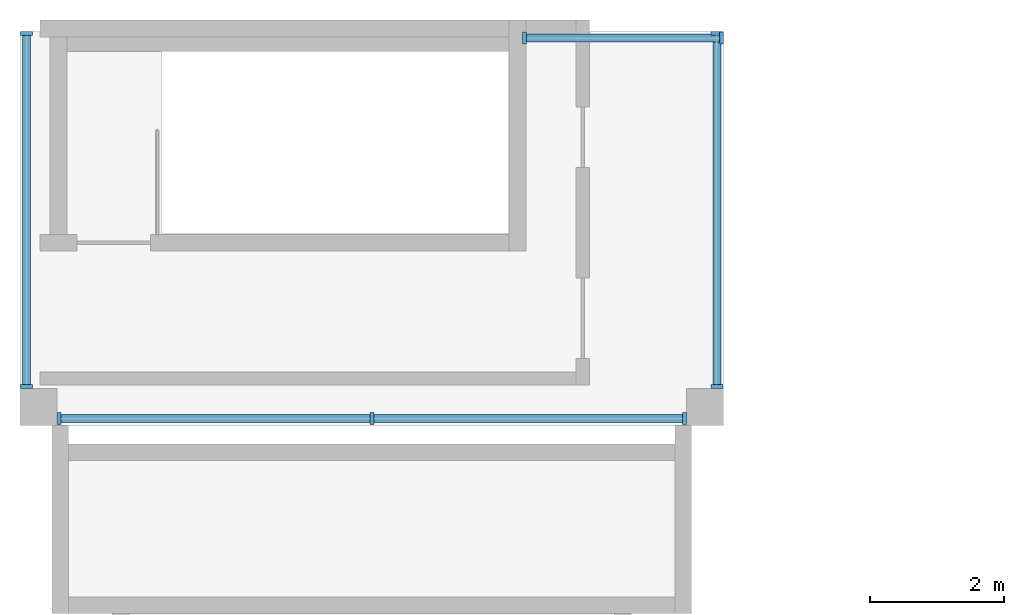
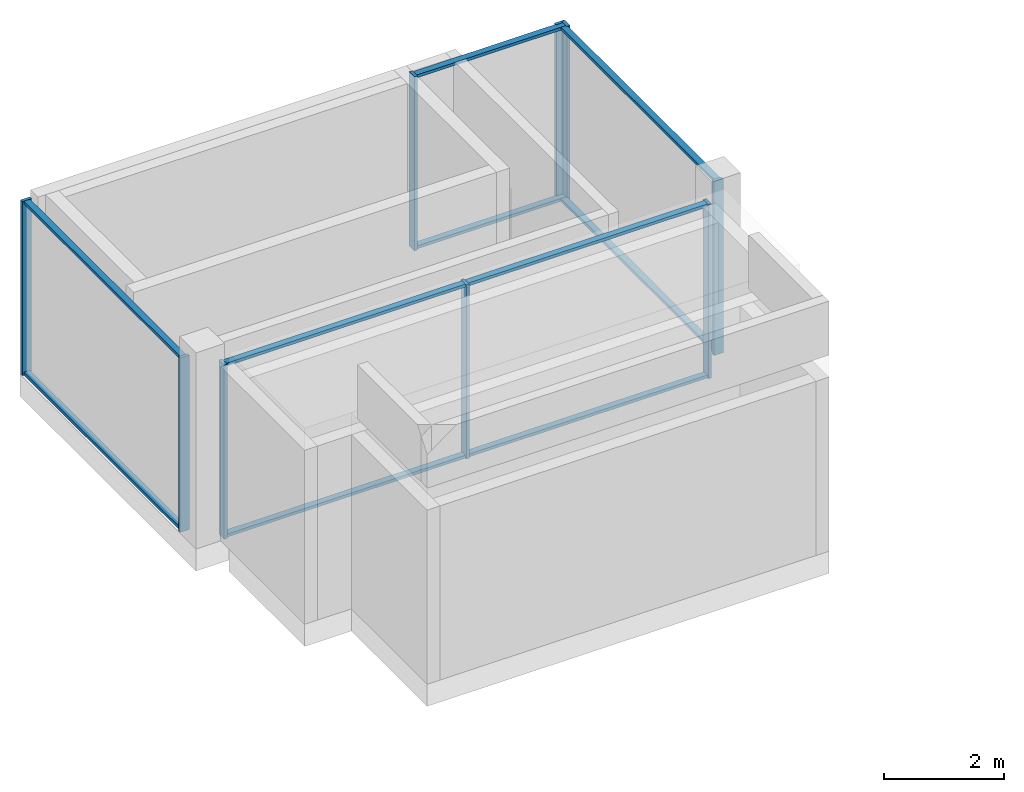
# One storey, part 3 of 6: 19 members, 4 elements without a shape of their own.
"""IFC4 building model written with IfcOpenShell, lengths in metres."""

from ifc_helpers import new_model, si_unit, direction, frame, origin, origin_2d, place, context, subcontext, project, spatial, rectangle, extrude, source, transform, mapped, material, layer, layer_set, material_profile, profile_set, type_object, element, aggregate, save


model = new_model("IFC4")

# Units and contexts
model_context = context("Model", 3, precision=1e-05, world=origin(), true_north=direction((0.0, 1.0)))
body_context = subcontext(model_context, "Body", "Model", "MODEL_VIEW")
ifc_project = project(units=[si_unit("LENGTHUNIT", "METRE"), si_unit("AREAUNIT", "SQUARE_METRE"), si_unit("VOLUMEUNIT", "CUBIC_METRE"), si_unit("PLANEANGLEUNIT", "RADIAN"), si_unit("MASSUNIT", "GRAM", prefix="KILO")], contexts=[model_context])

# Site, building, storey
site_placement = place(None, origin())
site = spatial("IfcSite", under=ifc_project, at=site_placement, CompositionType="ELEMENT")
building_placement = place(site_placement, origin())
building = spatial("IfcBuilding", under=site, at=building_placement, Name="Aurelian Terraces", CompositionType="ELEMENT")
storey_placement = place(building_placement, frame((0.0, 0.0, 380.5)))
storey = spatial("IfcBuildingStorey", under=building, at=storey_placement, Name="L91", CompositionType="ELEMENT", Elevation=380.5)

# Curtain wall, member
ifc_material_1 = material(Name="Anodised aluminium and clear glazing", Category="aluminium")
ifc_layer = layer(ifc_material_1, 0.2)
ifc_layer_set = layer_set([ifc_layer], Name="Crown glazing curtain wall")
curtain_wall_type = type_object("IfcCurtainWallType", Name="Crown glazing curtain wall", PredefinedType="NOTDEFINED", material=ifc_layer_set)
curtain_wall_1_placement = place(storey_placement, origin())
curtain_wall_1 = element("IfcCurtainWall", 1, at=curtain_wall_1_placement, inside=storey, type_object=curtain_wall_type, Name="Crown glazing L91 F06.1", PredefinedType="NOTDEFINED")
ifc_material_2 = material(Name="Anodised aluminium", Category="aluminium")
ifc_material_profile_1 = material_profile(ifc_material_2, rectangle(XDim=0.12, YDim=0.06, at=origin_2d()))
ifc_profile_set_1 = profile_set([ifc_material_profile_1], Name="Anodised aluminium")
member_type_1 = type_object("IfcMemberType", Name="Crown glazing transom", PredefinedType="USERDEFINED", material=ifc_profile_set_1)
member_1_placement = place(storey_placement, frame((20.9, 38.41, 0.03), z_axis=(0.0, 1.0, 0.0), x_axis=(-1.0, 0.0, 0.0)))
member_1 = element("IfcMember", 2, at=member_1_placement, type_object=member_type_1, Name="CW4 transom 1.1", ObjectType="TRANSOM", PredefinedType="USERDEFINED", context=body_context, shape_type="SweptSolid", body=[
    extrude(rectangle(XDim=0.12, YDim=0.06, at=origin_2d()), origin(), (0.0, 0.0, 1.0), 5.21),
])

curtain_wall_2_placement = place(storey_placement, origin())
curtain_wall_2 = element("IfcCurtainWall", 3, at=curtain_wall_2_placement, inside=storey, type_object=curtain_wall_type, Name="Crown glazing L91 F07.1", PredefinedType="NOTDEFINED")
member_2_placement = place(storey_placement, frame((20.94, 43.58, 0.03), z_axis=(-1.0, 0.0, 0.0), x_axis=(0.0, -1.0, 0.0)))
member_2 = element("IfcMember", 4, at=member_2_placement, type_object=member_type_1, Name="CW4 transom 1.1", ObjectType="TRANSOM", PredefinedType="USERDEFINED", context=body_context, shape_type="SweptSolid", body=[
    extrude(rectangle(XDim=0.12, YDim=0.06, at=origin_2d()), origin(), (0.0, 0.0, 1.0), 2.88),
])

# Curtain wall, members
curtain_wall_3_placement = place(storey_placement, origin())
curtain_wall_3 = element("IfcCurtainWall", 5, at=curtain_wall_3_placement, inside=storey, type_object=curtain_wall_type, Name="Crown glazing L91 F05.1", PredefinedType="NOTDEFINED")
ifc_material_profile_2 = material_profile(ifc_material_2, rectangle(XDim=0.18, YDim=0.06, at=origin_2d()))
ifc_profile_set_2 = profile_set([ifc_material_profile_2], Name="Anodised aluminium")
member_type_2 = type_object("IfcMemberType", Name="Crown glazing mullion", PredefinedType="MULLION", material=ifc_profile_set_2)
shared_shape_1 = source(origin(), body_context, "Body", "SweptSolid", [
    extrude(rectangle(XDim=0.18, YDim=0.06, at=origin_2d()), origin(), (0.0, 0.0, 1.0), 3.55),
])
member_3_placement = place(storey_placement, frame((11.08, 37.9, 0.0), z_axis=(0.0, 0.0, 1.0), x_axis=(0.0, 1.0, 0.0)))
member_3 = element("IfcMember", 6, at=member_3_placement, type_object=member_type_2, Name="CW4 mullion 1", PredefinedType="MULLION", context=body_context, shape_type="MappedRepresentation", body=[
    mapped(shared_shape_1, transform((0.0, 0.0, 0.0), scale=1.0)),
])
member_4_placement = place(storey_placement, frame((15.75, 37.9, 0.0), z_axis=(0.0, 0.0, 1.0), x_axis=(0.0, 1.0, 0.0)))
member_4 = element("IfcMember", 7, at=member_4_placement, type_object=member_type_2, Name="CW4 mullion 2", PredefinedType="MULLION", context=body_context, shape_type="MappedRepresentation", body=[
    mapped(shared_shape_1, transform((0.0, 0.0, 0.0), scale=1.0)),
])
member_5_placement = place(storey_placement, frame((20.42, 37.9, 0.0), z_axis=(0.0, 0.0, 1.0), x_axis=(0.0, 1.0, 0.0)))
member_5 = element("IfcMember", 8, at=member_5_placement, type_object=member_type_2, Name="CW4 mullion 3", PredefinedType="MULLION", context=body_context, shape_type="MappedRepresentation", body=[
    mapped(shared_shape_1, transform((0.0, 0.0, 0.0), scale=1.0)),
])

# Member
member_6_placement = place(storey_placement, frame((20.9, 38.38, 0.0), z_axis=(0.0, 0.0, 1.0), x_axis=(-1.0, 0.0, 0.0)))
member_6 = element("IfcMember", 9, at=member_6_placement, type_object=member_type_2, Name="CW4 mullion 1", PredefinedType="MULLION", context=body_context, shape_type="MappedRepresentation", body=[
    mapped(shared_shape_1, transform((0.0, 0.0, 0.0), scale=1.0)),
])

member_7_placement = place(storey_placement, frame((20.9, 43.65, 0.0), z_axis=(0.0, 0.0, 1.0), x_axis=(-1.0, 0.0, 0.0)))
member_7 = element("IfcMember", 10, at=member_7_placement, type_object=member_type_2, Name="CW4 mullion 2", PredefinedType="MULLION", context=body_context, shape_type="MappedRepresentation", body=[
    mapped(shared_shape_1, transform((0.0, 0.0, 0.0), scale=1.0)),
])

member_8_placement = place(storey_placement, frame((20.97, 43.58, 0.0), z_axis=(0.0, 0.0, 1.0), x_axis=(0.0, -1.0, 0.0)))
member_8 = element("IfcMember", 11, at=member_8_placement, type_object=member_type_2, Name="CW4 mullion 1", PredefinedType="MULLION", context=body_context, shape_type="MappedRepresentation", body=[
    mapped(shared_shape_1, transform((0.0, 0.0, 0.0), scale=1.0)),
])

member_9_placement = place(storey_placement, frame((18.03, 43.58, 0.0), z_axis=(0.0, 0.0, 1.0), x_axis=(0.0, -1.0, 0.0)))
member_9 = element("IfcMember", 12, at=member_9_placement, type_object=member_type_2, Name="CW4 mullion 2", PredefinedType="MULLION", context=body_context, shape_type="MappedRepresentation", body=[
    mapped(shared_shape_1, transform((0.0, 0.0, 0.0), scale=1.0)),
])

# Curtain wall, members
curtain_wall_4_placement = place(storey_placement, origin())
curtain_wall_4 = element("IfcCurtainWall", 13, at=curtain_wall_4_placement, inside=storey, type_object=curtain_wall_type, Name="Crown glazing L91 F08.1", PredefinedType="NOTDEFINED")
member_10_placement = place(storey_placement, frame((10.6, 43.65, 0.0), z_axis=(0.0, 0.0, 1.0), x_axis=(1.0, 0.0, 0.0)))
member_10 = element("IfcMember", 14, at=member_10_placement, type_object=member_type_2, Name="CW4 mullion 1", PredefinedType="MULLION", context=body_context, shape_type="MappedRepresentation", body=[
    mapped(shared_shape_1, transform((0.0, 0.0, 0.0), scale=1.0)),
])
member_11_placement = place(storey_placement, frame((10.6, 38.38, 0.0), z_axis=(0.0, 0.0, 1.0), x_axis=(1.0, 0.0, 0.0)))
member_11 = element("IfcMember", 15, at=member_11_placement, type_object=member_type_2, Name="CW4 mullion 2", PredefinedType="MULLION", context=body_context, shape_type="MappedRepresentation", body=[
    mapped(shared_shape_1, transform((0.0, 0.0, 0.0), scale=1.0)),
])

# Member
shared_shape_2 = source(origin(), body_context, "Body", "SweptSolid", [
    extrude(rectangle(XDim=0.12, YDim=0.06, at=origin_2d()), origin(), (0.0, 0.0, 1.0), 4.61),
])
member_12_placement = place(storey_placement, frame((11.11, 37.9, 0.03), z_axis=(1.0, 0.0, 0.0), x_axis=(0.0, 1.0, 0.0)))
member_12 = element("IfcMember", 16, at=member_12_placement, type_object=member_type_1, Name="CW4 transom 1.1", ObjectType="TRANSOM", PredefinedType="USERDEFINED", context=body_context, shape_type="MappedRepresentation", body=[
    mapped(shared_shape_2, transform((0.0, 0.0, 0.0), scale=1.0)),
])

member_13_placement = place(storey_placement, frame((11.11, 37.9, 3.52), z_axis=(1.0, 0.0, 0.0), x_axis=(0.0, 1.0, 0.0)))
member_13 = element("IfcMember", 17, at=member_13_placement, type_object=member_type_1, Name="CW4 transom 1.2", ObjectType="TRANSOM", PredefinedType="USERDEFINED", context=body_context, shape_type="MappedRepresentation", body=[
    mapped(shared_shape_2, transform((0.0, 0.0, 0.0), scale=1.0)),
])

member_14_placement = place(storey_placement, frame((15.78, 37.9, 0.03), z_axis=(1.0, 0.0, 0.0), x_axis=(0.0, 1.0, 0.0)))
member_14 = element("IfcMember", 18, at=member_14_placement, type_object=member_type_1, Name="CW4 transom 2.1", ObjectType="TRANSOM", PredefinedType="USERDEFINED", context=body_context, shape_type="MappedRepresentation", body=[
    mapped(shared_shape_2, transform((0.0, 0.0, 0.0), scale=1.0)),
])

member_15_placement = place(storey_placement, frame((15.78, 37.9, 3.52), z_axis=(1.0, 0.0, 0.0), x_axis=(0.0, 1.0, 0.0)))
member_15 = element("IfcMember", 19, at=member_15_placement, type_object=member_type_1, Name="CW4 transom 2.2", ObjectType="TRANSOM", PredefinedType="USERDEFINED", context=body_context, shape_type="MappedRepresentation", body=[
    mapped(shared_shape_2, transform((0.0, 0.0, 0.0), scale=1.0)),
])

aggregate(curtain_wall_3, [member_3, member_4, member_5, member_12, member_13, member_14, member_15])

shared_shape_3 = source(origin(), body_context, "Body", "SweptSolid", [
    extrude(rectangle(XDim=0.12, YDim=0.06, at=origin_2d()), origin(), (0.0, 0.0, 1.0), 5.21),
])
member_16_placement = place(storey_placement, frame((20.9, 38.41, 3.52), z_axis=(0.0, 1.0, 0.0), x_axis=(-1.0, 0.0, 0.0)))
member_16 = element("IfcMember", 20, at=member_16_placement, type_object=member_type_1, Name="CW4 transom 1.2", ObjectType="TRANSOM", PredefinedType="USERDEFINED", context=body_context, shape_type="MappedRepresentation", body=[
    mapped(shared_shape_3, transform((0.0, 0.0, 0.0), scale=1.0)),
])

aggregate(curtain_wall_1, [member_6, member_7, member_1, member_16])

member_17_placement = place(storey_placement, frame((10.6, 43.62, 0.03), z_axis=(0.0, -1.0, 0.0), x_axis=(1.0, 0.0, 0.0)))
member_17 = element("IfcMember", 21, at=member_17_placement, type_object=member_type_1, Name="CW4 transom 1.1", ObjectType="TRANSOM", PredefinedType="USERDEFINED", context=body_context, shape_type="MappedRepresentation", body=[
    mapped(shared_shape_3, transform((0.0, 0.0, 0.0), scale=1.0)),
])

member_18_placement = place(storey_placement, frame((10.6, 43.62, 3.52), z_axis=(0.0, -1.0, 0.0), x_axis=(1.0, 0.0, 0.0)))
member_18 = element("IfcMember", 22, at=member_18_placement, type_object=member_type_1, Name="CW4 transom 1.2", ObjectType="TRANSOM", PredefinedType="USERDEFINED", context=body_context, shape_type="MappedRepresentation", body=[
    mapped(shared_shape_3, transform((0.0, 0.0, 0.0), scale=1.0)),
])

aggregate(curtain_wall_4, [member_10, member_11, member_17, member_18])

shared_shape_4 = source(origin(), body_context, "Body", "SweptSolid", [
    extrude(rectangle(XDim=0.12, YDim=0.06, at=origin_2d()), origin(), (0.0, 0.0, 1.0), 2.88),
])
member_19_placement = place(storey_placement, frame((20.94, 43.58, 3.52), z_axis=(-1.0, 0.0, 0.0), x_axis=(0.0, -1.0, 0.0)))
member_19 = element("IfcMember", 23, at=member_19_placement, type_object=member_type_1, Name="CW4 transom 1.2", ObjectType="TRANSOM", PredefinedType="USERDEFINED", context=body_context, shape_type="MappedRepresentation", body=[
    mapped(shared_shape_4, transform((0.0, 0.0, 0.0), scale=1.0)),
])

aggregate(curtain_wall_2, [member_8, member_9, member_2, member_19])

save(model, "model.ifc")
